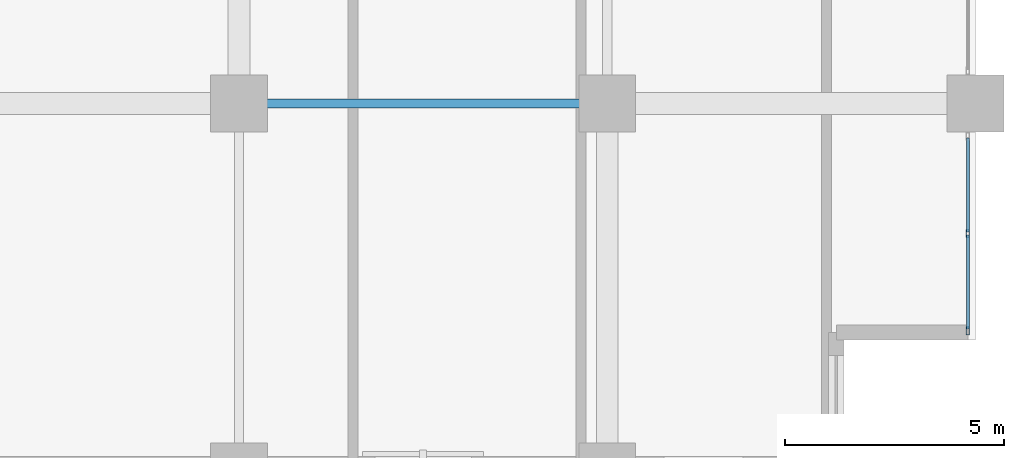
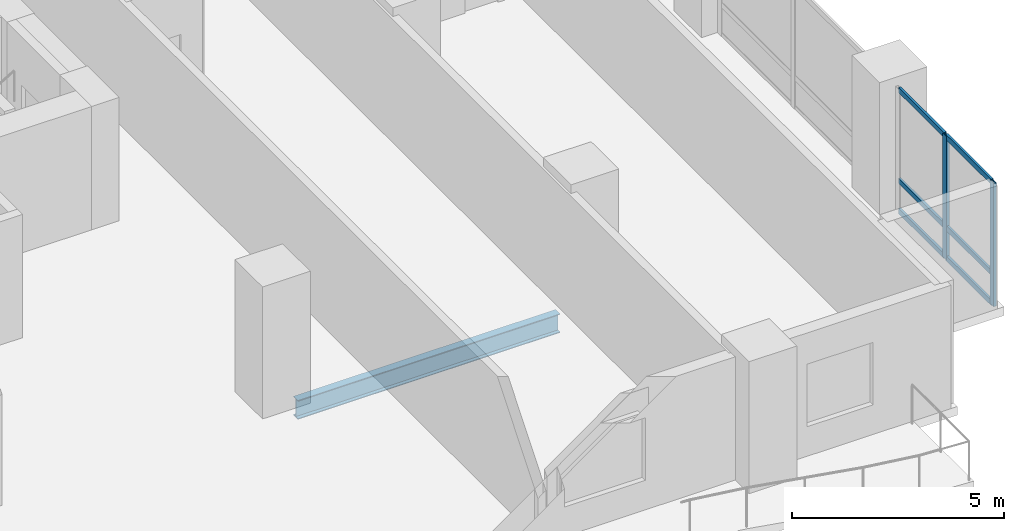
# One storey, part 3 of 23: 8 members, 1 beam, 1 element without a shape of its own.
"""IFC4 building model written with IfcOpenShell, lengths in metres."""

from ifc_helpers import new_model, si_unit, direction, frame, origin, origin_2d, place, context, subcontext, project, spatial, hollow_rectangle, i_section, extrude, material, layer, layer_set, material_profile, profile_set, type_object, element, aggregate, save


model = new_model("IFC4")

# Units and contexts
model_context = context("Model", 3, precision=1e-05, world=origin(), true_north=direction((0.0, 1.0)))
body_context = subcontext(model_context, "Body", "Model", "MODEL_VIEW")
ifc_project = project(units=[si_unit("LENGTHUNIT", "METRE"), si_unit("AREAUNIT", "SQUARE_METRE"), si_unit("VOLUMEUNIT", "CUBIC_METRE"), si_unit("PLANEANGLEUNIT", "RADIAN"), si_unit("MASSUNIT", "GRAM", prefix="KILO")], contexts=[model_context])

# Site, building, storey
site_placement = place(None, origin())
site = spatial("IfcSite", under=ifc_project, at=site_placement, CompositionType="ELEMENT")
building_placement = place(site_placement, origin())
building = spatial("IfcBuilding", under=site, at=building_placement, Name="Koriwani Terraces Tower", CompositionType="ELEMENT")
storey_placement = place(building_placement, frame((0.0, 0.0, 119.0)))
storey = spatial("IfcBuildingStorey", under=building, at=storey_placement, Name="L28", CompositionType="ELEMENT", Elevation=119.0)

# Curtain wall, members
ifc_material_1 = material(Name="Anodised Bronze Aluminium", Category="aluminium")
ifc_layer = layer(ifc_material_1, 0.179931640625, Name="Anodised Bronze Aluminium")
ifc_layer_set = layer_set([ifc_layer], Name="Anodised Bronze Aluminium")
curtain_wall_type = type_object("IfcCurtainWallType", Name="CW_HOTEL_ZONE2", PredefinedType="NOTDEFINED", material=ifc_layer_set)
curtain_wall_placement = place(storey_placement, origin())
curtain_wall = element("IfcCurtainWall", 1, at=curtain_wall_placement, inside=storey, type_object=curtain_wall_type, Name="L28 Unitised Curtain Wall (E_TIP) Bay 4", PredefinedType="NOTDEFINED")
ifc_material_profile_1 = material_profile(ifc_material_1, hollow_rectangle(XDim=0.074951171875, YDim=0.179931640625, WallThickness=0.006103515625, at=origin_2d()), Name="Anodised Bronze Aluminium", Category="LoadBearing")
ifc_profile_set_1 = profile_set([ifc_material_profile_1], Name="Anodised Bronze Aluminium")
member_type_1 = type_object("IfcMemberType", Name="CW_MULLION_180X75", PredefinedType="MULLION", material=ifc_profile_set_1)
member_1_placement = place(storey_placement, frame((75.425048828125, 5.4326171875, 0.0), z_axis=(0.0, 0.0, 1.0), x_axis=(1.0, 0.0, 0.0)))
member_1 = element("IfcMember", 2, at=member_1_placement, type_object=member_type_1, Name="CW-Z2 mullion 2", PredefinedType="MULLION", context=body_context, shape_type="SweptSolid", body=[
    extrude(hollow_rectangle(XDim=0.074951171875, YDim=0.179931640625, WallThickness=0.006103515625, at=origin_2d()), origin(), (0.0, 0.0, 1.0), 3.550048828125),
])
member_2_placement = place(storey_placement, frame((75.425048828125, 3.21240234375, 0.0), z_axis=(0.0, 0.0, 1.0), x_axis=(1.0, 0.0, 0.0)))
member_2 = element("IfcMember", 3, at=member_2_placement, type_object=member_type_1, Name="CW-Z2 mullion 3", PredefinedType="MULLION", context=body_context, shape_type="SweptSolid", body=[
    extrude(hollow_rectangle(XDim=0.074951171875, YDim=0.179931640625, WallThickness=0.006103515625, at=origin_2d()), origin(), (0.0, 0.0, 1.0), 3.550048828125),
])
ifc_material_profile_2 = material_profile(ifc_material_1, hollow_rectangle(XDim=0.06494140625, YDim=0.14990234375, WallThickness=0.0048828125, at=origin_2d()), Name="Anodised Bronze Aluminium", Category="LoadBearing")
ifc_profile_set_2 = profile_set([ifc_material_profile_2], Name="Anodised Bronze Aluminium")
member_type_2 = type_object("IfcMemberType", Name="CW_TRANSOM_150X65", PredefinedType="USERDEFINED", material=ifc_profile_set_2)
member_3_placement = place(storey_placement, frame((75.425048828125, 7.614990234375, 0.032470703125), z_axis=(0.0, -1.0, 0.0), x_axis=(1.0, 0.0, 0.0)))
member_3 = element("IfcMember", 4, at=member_3_placement, type_object=member_type_2, Name="CW-Z2 transom 1.1", ObjectType="TRANSOM", PredefinedType="USERDEFINED", context=body_context, shape_type="SweptSolid", body=[
    extrude(hollow_rectangle(XDim=0.06494140625, YDim=0.14990234375, WallThickness=0.0048828125, at=origin_2d()), origin(), (0.0, 0.0, 1.0), 2.14501953125),
])
member_4_placement = place(storey_placement, frame((75.425048828125, 7.614990234375, 0.89990234375), z_axis=(0.0, -1.0, 0.0), x_axis=(1.0, 0.0, 0.0)))
member_4 = element("IfcMember", 5, at=member_4_placement, type_object=member_type_2, Name="CW-Z2 transom 1.2", ObjectType="TRANSOM", PredefinedType="USERDEFINED", context=body_context, shape_type="SweptSolid", body=[
    extrude(hollow_rectangle(XDim=0.06494140625, YDim=0.14990234375, WallThickness=0.0048828125, at=origin_2d()), origin(), (0.0, 0.0, 1.0), 2.14501953125),
])
member_5_placement = place(storey_placement, frame((75.425048828125, 7.614990234375, 3.517578125), z_axis=(0.0, -1.0, 0.0), x_axis=(1.0, 0.0, 0.0)))
member_5 = element("IfcMember", 6, at=member_5_placement, type_object=member_type_2, Name="CW-Z2 transom 1.3", ObjectType="TRANSOM", PredefinedType="USERDEFINED", context=body_context, shape_type="SweptSolid", body=[
    extrude(hollow_rectangle(XDim=0.06494140625, YDim=0.14990234375, WallThickness=0.0048828125, at=origin_2d()), origin(), (0.0, 0.0, 1.0), 2.14501953125),
])
member_6_placement = place(storey_placement, frame((75.425048828125, 5.39501953125, 0.032470703125), z_axis=(0.0, -1.0, 0.0), x_axis=(1.0, 0.0, 0.0)))
member_6 = element("IfcMember", 7, at=member_6_placement, type_object=member_type_2, Name="CW-Z2 transom 2.1", ObjectType="TRANSOM", PredefinedType="USERDEFINED", context=body_context, shape_type="SweptSolid", body=[
    extrude(hollow_rectangle(XDim=0.06494140625, YDim=0.14990234375, WallThickness=0.0048828125, at=origin_2d()), origin(), (0.0, 0.0, 1.0), 2.14501953125),
])
member_7_placement = place(storey_placement, frame((75.425048828125, 5.39501953125, 0.89990234375), z_axis=(0.0, -1.0, 0.0), x_axis=(1.0, 0.0, 0.0)))
member_7 = element("IfcMember", 8, at=member_7_placement, type_object=member_type_2, Name="CW-Z2 transom 2.2", ObjectType="TRANSOM", PredefinedType="USERDEFINED", context=body_context, shape_type="SweptSolid", body=[
    extrude(hollow_rectangle(XDim=0.06494140625, YDim=0.14990234375, WallThickness=0.0048828125, at=origin_2d()), origin(), (0.0, 0.0, 1.0), 2.14501953125),
])
member_8_placement = place(storey_placement, frame((75.425048828125, 5.39501953125, 3.517578125), z_axis=(0.0, -1.0, 0.0), x_axis=(1.0, 0.0, 0.0)))
member_8 = element("IfcMember", 9, at=member_8_placement, type_object=member_type_2, Name="CW-Z2 transom 2.3", ObjectType="TRANSOM", PredefinedType="USERDEFINED", context=body_context, shape_type="SweptSolid", body=[
    extrude(hollow_rectangle(XDim=0.06494140625, YDim=0.14990234375, WallThickness=0.0048828125, at=origin_2d()), origin(), (0.0, 0.0, 1.0), 2.14501953125),
])
aggregate(curtain_wall, [member_1, member_2, member_3, member_4, member_5, member_6, member_7, member_8])

# Beam
ifc_material_2 = material(Name="Steel ASTM A572 Grade 50", Category="steel")
ifc_material_profile_3 = material_profile(ifc_material_2, i_section(OverallWidth=0.2119140625, OverallDepth=0.54296875, WebThickness=0.0126953125, FlangeThickness=0.021240234375, at=origin_2d()), Name="Steel ASTM A572 Grade 50", Category="LoadBearing")
ifc_profile_set_3 = profile_set([ifc_material_profile_3], Name="Steel ASTM A572 Grade 50")
beam_type = type_object("IfcBeamType", Name="STEEL_BEAM_W530X150", PredefinedType="BEAM", material=ifc_profile_set_3)
beam_placement = place(storey_placement, frame((59.429931640625, 8.39990234375, -0.521484375), z_axis=(1.0, 0.0, 0.0), x_axis=(0.0, 1.0, 0.0)))
element("IfcBeam", 10, at=beam_placement, inside=storey, type_object=beam_type, Name="L28 Grid Beam B (58.8-67.2m)", PredefinedType="BEAM", context=body_context, shape_type="SweptSolid", body=[
    extrude(i_section(OverallWidth=0.2119140625, OverallDepth=0.54296875, WebThickness=0.0126953125, FlangeThickness=0.021240234375, at=origin_2d()), origin(), (0.0, 0.0, 1.0), 7.14013671875),
])

save(model, "model.ifc")
